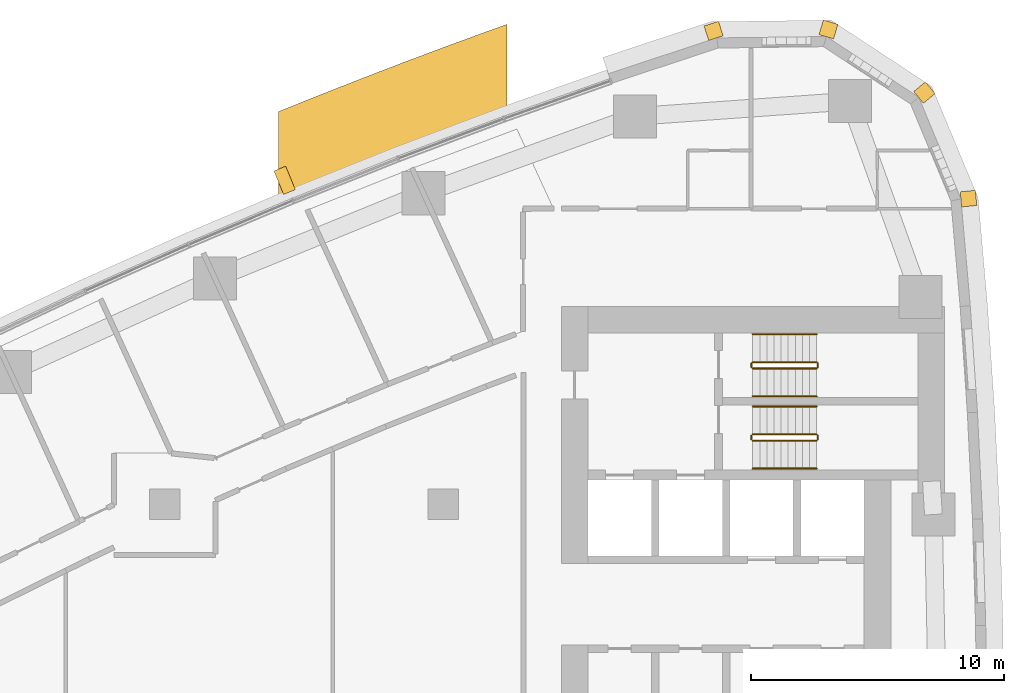
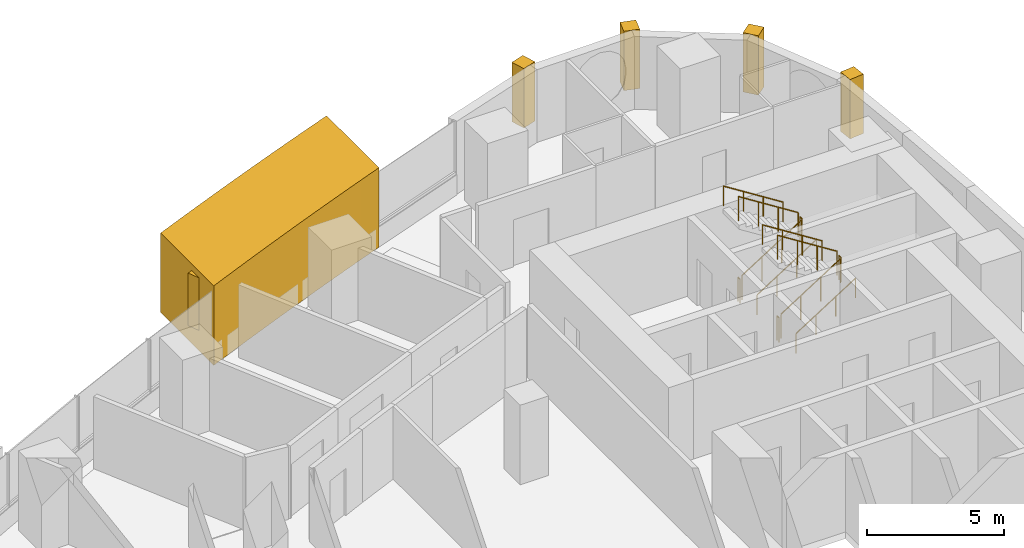
# One storey, part 17 of 17: 12 railings, 6 coverings.
"""IFC4 building model written with IfcOpenShell, lengths in metres."""

from ifc_helpers import new_model, si_unit, direction, frame, frame_2d, origin, origin_2d, place, context, subcontext, project, spatial, polyline, rectangle, circle, outline, extrude, material, layer, layer_set, type_object, element, save


model = new_model("IFC4")

# Units and contexts
model_context = context("Model", 3, precision=1e-05, world=origin(), true_north=direction((0.0, 1.0)))
body_context = subcontext(model_context, "Body", "Model", "MODEL_VIEW")
ifc_project = project(units=[si_unit("LENGTHUNIT", "METRE"), si_unit("AREAUNIT", "SQUARE_METRE"), si_unit("VOLUMEUNIT", "CUBIC_METRE"), si_unit("PLANEANGLEUNIT", "RADIAN"), si_unit("MASSUNIT", "GRAM", prefix="KILO")], contexts=[model_context])

# Site, building, storey
site_placement = place(None, origin())
site = spatial("IfcSite", under=ifc_project, at=site_placement, CompositionType="ELEMENT")
building_placement = place(site_placement, origin())
building = spatial("IfcBuilding", under=site, at=building_placement, Name="Ostrand Prow Hotel Tower", CompositionType="ELEMENT")
storey_placement = place(building_placement, frame((0.0, 0.0, 88.449951171875)))
storey = spatial("IfcBuildingStorey", under=building, at=storey_placement, Name="L20", CompositionType="ELEMENT", Elevation=88.449951171875)

# Coverings
ifc_material_1 = material(Name="Limestone cladding", Category="masonry")
ifc_layer_1 = layer(ifc_material_1, 5.0)
ifc_layer_set_1 = layer_set([ifc_layer_1], Name="Limestone cladding")
covering_type_1 = type_object("IfcCoveringType", Name="Portal jamb pilaster limestone", PredefinedType="CLADDING", material=ifc_layer_set_1)
covering_1_placement = place(storey_placement, origin())
element("IfcCovering", 1, at=covering_1_placement, inside=storey, type_object=covering_type_1, Name="Portal jamb NB L20", PredefinedType="CLADDING", context=body_context, shape_type="SweptSolid", body=[
    extrude(outline(polyline([(38.5, 20.59423828125), (39.5, 21.006103515625), (40.5, 21.412353515625), (41.5, 21.812744140625), (42.5, 22.207763671875), (43.5, 22.59716796875), (44.5, 22.98095703125), (45.5, 23.359130859375), (46.5, 23.732177734375), (47.5, 24.099609375), (47.5, 27.927490234375), (46.5, 27.566650390625), (45.5, 27.200439453125), (44.5, 26.8291015625), (43.5, 26.4521484375), (42.5, 26.06982421875), (41.5, 25.68212890625), (40.5, 25.2890625), (39.5, 24.890380859375), (38.5, 24.486083984375), (38.5, 20.59423828125)])), origin(), (0.0, 0.0, 1.0), 3.550048828125),
])
ifc_material_2 = material(Name="Limestone cladding", Category="masonry")
ifc_layer_2 = layer(ifc_material_2, 0.5)
ifc_layer_set_2 = layer_set([ifc_layer_2], Name="Limestone cladding")
covering_type_2 = type_object("IfcCoveringType", Name="Precast stone fin 500x900", PredefinedType="CLADDING", material=ifc_layer_set_2)
covering_2_placement = place(storey_placement, frame((38.9248046875, 21.310791015625, 0.900146484375), z_axis=(0.0, 0.0, 1.0), x_axis=(-0.380172536546, 0.924915586665, 0.0)))
element("IfcCovering", 2, at=covering_2_placement, inside=storey, type_object=covering_type_2, Name="Stone fin N 4", PredefinedType="CLADDING", context=body_context, shape_type="SweptSolid", body=[
    extrude(rectangle(XDim=1.0, YDim=0.5, at=frame_2d((0.5, 0.0))), origin(), (0.0, 0.0, 1.0), 2.349853515625),
])
ifc_material_3 = material(Name="Limestone cladding", Category="masonry")
ifc_layer_3 = layer(ifc_material_3, 0.60009765625)
ifc_layer_set_3 = layer_set([ifc_layer_3], Name="Limestone cladding")
covering_type_3 = type_object("IfcCoveringType", Name="Precast stone prow rib 600x600", PredefinedType="CLADDING", material=ifc_layer_set_3)
for number, where, z_axis, x_axis, name in (
    (3, (65.41650390625, 21.02099609375, 0.60009765625), (0.0, 0.0, 1.0), (0.99529571972, 0.096883591531, 0.0), "Stone corner rib 15a"),
    (4, (63.74365234375, 25.043212890625, 0.60009765625), (0.0, 0.0, 1.0), (0.770318500913, 0.637659319034, 0.0), "Stone corner rib 16a"),
):
    element("IfcCovering", number, at=place(storey_placement, frame(where, z_axis=z_axis, x_axis=x_axis)), inside=storey, type_object=covering_type_3, Name=name, PredefinedType="CLADDING", context=body_context, shape_type="SweptSolid", body=[
        extrude(rectangle(XDim=0.599853515625, YDim=0.60009765625, at=frame_2d((0.2998046875, 0.0))), origin(), (0.0, 0.0, 1.0), 2.64990234375),
    ])
covering_3_placement = place(storey_placement, frame((60.104736328125, 27.437744140625, 0.60009765625), z_axis=(0.0, 0.0, 1.0), x_axis=(0.280734221166, 0.959785547436, 0.0)))
element("IfcCovering", 5, at=covering_3_placement, inside=storey, type_object=covering_type_3, Name="Stone corner rib 17a", PredefinedType="CLADDING", context=body_context, shape_type="SweptSolid", body=[
    extrude(rectangle(XDim=0.60009765625, YDim=0.60009765625, at=frame_2d((0.300048828125, 0.0))), origin(), (0.0, 0.0, 1.0), 2.64990234375),
])
covering_4_placement = place(storey_placement, frame((55.7490234375, 27.3828125, 0.60009765625), z_axis=(0.0, 0.0, 1.0), x_axis=(-0.305218682065, 0.952282288042, 0.0)))
element("IfcCovering", 6, at=covering_4_placement, inside=storey, type_object=covering_type_3, Name="Stone corner rib 17b", PredefinedType="CLADDING", context=body_context, shape_type="SweptSolid", body=[
    extrude(rectangle(XDim=0.599853515625, YDim=0.60009765625, at=frame_2d((0.2998046875, 0.0))), origin(), (0.0, 0.0, 1.0), 2.64990234375),
])

# Railings
ifc_material_4 = material(Name="Painted steel", Category="steel")
railing_type_1 = type_object("IfcRailingType", Name="Stair guard 1100", PredefinedType="GUARDRAIL", material=ifc_material_4)
railing_1_placement = place(storey_placement, frame((57.199951171875, 11.5, 0.177490234375)))
element("IfcRailing", 7, at=railing_1_placement, inside=storey, type_object=railing_type_1, Name="L20 ST1C stair guard 1", PredefinedType="GUARDRAIL", context=body_context, shape_type="SweptSolid", body=[
    extrude(circle(Radius=0.02392578125, at=origin_2d()), frame((0.0, 0.0, 1.076171875), z_axis=(0.84456994832, 0.0, 0.535445237532), x_axis=(0.0, 1.0, 0.0)), (0.0, 0.0, 1.0), 2.98388671875),
    extrude(circle(Radius=0.02099609375, at=origin_2d()), origin(), (0.0, 0.0, 1.0), 1.052001953125),
    extrude(circle(Radius=0.02099609375, at=origin_2d()), frame((0.840087890625, 0.0, 0.532470703125)), (0.0, 0.0, 1.0), 1.052001953125),
    extrude(circle(Radius=0.02099609375, at=origin_2d()), frame((1.679931640625, 0.0, 1.065185546875)), (0.0, 0.0, 1.0), 1.052001953125),
    extrude(circle(Radius=0.02099609375, at=origin_2d()), frame((2.52001953125, 0.0, 1.59765625)), (0.0, 0.0, 1.0), 1.052001953125),
])
railing_2_placement = place(storey_placement, frame((59.77001953125, 11.550048828125, 1.775146484375)))
element("IfcRailing", 8, at=railing_2_placement, inside=storey, type_object=railing_type_1, Name="L20 ST1C stair guard 2", PredefinedType="GUARDRAIL", context=body_context, shape_type="SweptSolid", body=[
    extrude(circle(Radius=0.02392578125, at=origin_2d()), frame((0.0, 0.0, 1.076171875), z_axis=(0.0, 1.0, 0.0), x_axis=(-1.0, 0.0, 0.0)), (0.0, 0.0, 1.0), 0.14990234375),
    extrude(circle(Radius=0.02099609375, at=origin_2d()), origin(), (0.0, 0.0, 1.0), 1.052001953125),
    extrude(circle(Radius=0.02099609375, at=origin_2d()), frame((0.0, 0.14990234375, 0.0)), (0.0, 0.0, 1.0), 1.052001953125),
])
railing_3_placement = place(storey_placement, frame((59.719970703125, 11.75, 1.95263671875)))
element("IfcRailing", 9, at=railing_3_placement, inside=storey, type_object=railing_type_1, Name="L20 ST1C stair guard 3", PredefinedType="GUARDRAIL", context=body_context, shape_type="SweptSolid", body=[
    extrude(circle(Radius=0.02392578125, at=origin_2d()), frame((0.0, 0.0, 1.076171875), z_axis=(-0.84460694969, 0.0, 0.535386869969), x_axis=(0.0, -1.0, 0.0)), (0.0, 0.0, 1.0), 2.983642578125),
    extrude(circle(Radius=0.02099609375, at=origin_2d()), origin(), (0.0, 0.0, 1.0), 1.052001953125),
    extrude(circle(Radius=0.02099609375, at=origin_2d()), frame((-0.840087890625, 0.0, 0.532470703125)), (0.0, 0.0, 1.0), 1.052001953125),
    extrude(circle(Radius=0.02099609375, at=origin_2d()), frame((-1.679931640625, 0.0, 1.06494140625)), (0.0, 0.0, 1.0), 1.052001953125),
    extrude(circle(Radius=0.02099609375, at=origin_2d()), frame((-2.52001953125, 0.0, 1.597412109375)), (0.0, 0.0, 1.0), 1.052001953125),
])
railing_4_placement = place(storey_placement, frame((57.14990234375, 11.550048828125, 0.0)))
element("IfcRailing", 10, at=railing_4_placement, inside=storey, type_object=railing_type_1, Name="L20 ST1C stair guard 4", PredefinedType="GUARDRAIL", context=body_context, shape_type="SweptSolid", body=[
    extrude(circle(Radius=0.02392578125, at=origin_2d()), frame((0.0, 0.0, 1.076171875), z_axis=(0.0, 1.0, 0.0), x_axis=(-1.0, 0.0, 0.0)), (0.0, 0.0, 1.0), 0.14990234375),
    extrude(circle(Radius=0.02099609375, at=origin_2d()), origin(), (0.0, 0.0, 1.0), 1.052001953125),
    extrude(circle(Radius=0.02099609375, at=origin_2d()), frame((0.0, 0.14990234375, 0.0)), (0.0, 0.0, 1.0), 1.052001953125),
])
railing_5_placement = place(storey_placement, frame((57.199951171875, 14.35009765625, 0.177490234375)))
element("IfcRailing", 11, at=railing_5_placement, inside=storey, type_object=railing_type_1, Name="L20 ST3C stair guard 1", PredefinedType="GUARDRAIL", context=body_context, shape_type="SweptSolid", body=[
    extrude(circle(Radius=0.02392578125, at=origin_2d()), frame((0.0, 0.0, 1.076171875), z_axis=(0.84456994832, 0.0, 0.535445237532), x_axis=(0.0, 1.0, 0.0)), (0.0, 0.0, 1.0), 2.98388671875),
    extrude(circle(Radius=0.02099609375, at=origin_2d()), origin(), (0.0, 0.0, 1.0), 1.052001953125),
    extrude(circle(Radius=0.02099609375, at=origin_2d()), frame((0.840087890625, 0.0, 0.532470703125)), (0.0, 0.0, 1.0), 1.052001953125),
    extrude(circle(Radius=0.02099609375, at=origin_2d()), frame((1.679931640625, 0.0, 1.065185546875)), (0.0, 0.0, 1.0), 1.052001953125),
    extrude(circle(Radius=0.02099609375, at=origin_2d()), frame((2.52001953125, 0.0, 1.59765625)), (0.0, 0.0, 1.0), 1.052001953125),
])
railing_6_placement = place(storey_placement, frame((59.77001953125, 14.39990234375, 1.775146484375)))
element("IfcRailing", 12, at=railing_6_placement, inside=storey, type_object=railing_type_1, Name="L20 ST3C stair guard 2", PredefinedType="GUARDRAIL", context=body_context, shape_type="SweptSolid", body=[
    extrude(circle(Radius=0.02392578125, at=origin_2d()), frame((0.0, 0.0, 1.076171875), z_axis=(0.0, 1.0, 0.0), x_axis=(-1.0, 0.0, 0.0)), (0.0, 0.0, 1.0), 0.150146484375),
    extrude(circle(Radius=0.02099609375, at=origin_2d()), origin(), (0.0, 0.0, 1.0), 1.052001953125),
    extrude(circle(Radius=0.02099609375, at=origin_2d()), frame((0.0, 0.150146484375, 0.0)), (0.0, 0.0, 1.0), 1.052001953125),
])
railing_7_placement = place(storey_placement, frame((59.719970703125, 14.60009765625, 1.95263671875)))
element("IfcRailing", 13, at=railing_7_placement, inside=storey, type_object=railing_type_1, Name="L20 ST3C stair guard 3", PredefinedType="GUARDRAIL", context=body_context, shape_type="SweptSolid", body=[
    extrude(circle(Radius=0.02392578125, at=origin_2d()), frame((0.0, 0.0, 1.076171875), z_axis=(-0.84460694969, 0.0, 0.535386869969), x_axis=(0.0, -1.0, 0.0)), (0.0, 0.0, 1.0), 2.983642578125),
    extrude(circle(Radius=0.02099609375, at=origin_2d()), origin(), (0.0, 0.0, 1.0), 1.052001953125),
    extrude(circle(Radius=0.02099609375, at=origin_2d()), frame((-0.840087890625, 0.0, 0.532470703125)), (0.0, 0.0, 1.0), 1.052001953125),
    extrude(circle(Radius=0.02099609375, at=origin_2d()), frame((-1.679931640625, 0.0, 1.06494140625)), (0.0, 0.0, 1.0), 1.052001953125),
    extrude(circle(Radius=0.02099609375, at=origin_2d()), frame((-2.52001953125, 0.0, 1.597412109375)), (0.0, 0.0, 1.0), 1.052001953125),
])
railing_8_placement = place(storey_placement, frame((57.14990234375, 14.39990234375, 0.0)))
element("IfcRailing", 14, at=railing_8_placement, inside=storey, type_object=railing_type_1, Name="L20 ST3C stair guard 4", PredefinedType="GUARDRAIL", context=body_context, shape_type="SweptSolid", body=[
    extrude(circle(Radius=0.02392578125, at=origin_2d()), frame((0.0, 0.0, 1.076171875), z_axis=(0.0, 1.0, 0.0), x_axis=(-1.0, 0.0, 0.0)), (0.0, 0.0, 1.0), 0.150146484375),
    extrude(circle(Radius=0.02099609375, at=origin_2d()), origin(), (0.0, 0.0, 1.0), 1.052001953125),
    extrude(circle(Radius=0.02099609375, at=origin_2d()), frame((0.0, 0.150146484375, 0.0)), (0.0, 0.0, 1.0), 1.052001953125),
])
ifc_material_5 = material(Name="Stainless steel", Category="steel")
railing_type_2 = type_object("IfcRailingType", Name="Stair handrail 900", PredefinedType="HANDRAIL", material=ifc_material_5)
railing_9_placement = place(storey_placement, frame((57.199951171875, 10.39990234375, 0.177490234375)))
element("IfcRailing", 15, at=railing_9_placement, inside=storey, type_object=railing_type_2, Name="L20 ST1C stair handrail 1", PredefinedType="HANDRAIL", context=body_context, shape_type="SweptSolid", body=[
    extrude(circle(Radius=0.02392578125, at=origin_2d()), frame((0.0, 0.0, 0.8759765625), z_axis=(0.84456994832, 0.0, 0.535445237532), x_axis=(0.0, 1.0, 0.0)), (0.0, 0.0, 1.0), 2.98388671875),
    extrude(circle(Radius=0.02099609375, at=origin_2d()), origin(), (0.0, 0.0, 1.0), 0.851806640625),
    extrude(circle(Radius=0.02099609375, at=origin_2d()), frame((0.840087890625, 0.0, 0.532470703125)), (0.0, 0.0, 1.0), 0.851806640625),
    extrude(circle(Radius=0.02099609375, at=origin_2d()), frame((1.679931640625, 0.0, 1.065185546875)), (0.0, 0.0, 1.0), 0.851806640625),
    extrude(circle(Radius=0.02099609375, at=origin_2d()), frame((2.52001953125, 0.0, 1.59765625)), (0.0, 0.0, 1.0), 0.851806640625),
])
railing_10_placement = place(storey_placement, frame((59.719970703125, 12.85009765625, 1.95263671875)))
element("IfcRailing", 16, at=railing_10_placement, inside=storey, type_object=railing_type_2, Name="L20 ST1C stair handrail 2", PredefinedType="HANDRAIL", context=body_context, shape_type="SweptSolid", body=[
    extrude(circle(Radius=0.02392578125, at=origin_2d()), frame((0.0, 0.0, 0.8759765625), z_axis=(-0.84460694969, 0.0, 0.535386869969), x_axis=(0.0, -1.0, 0.0)), (0.0, 0.0, 1.0), 2.983642578125),
    extrude(circle(Radius=0.02099609375, at=origin_2d()), origin(), (0.0, 0.0, 1.0), 0.851806640625),
    extrude(circle(Radius=0.02099609375, at=origin_2d()), frame((-0.840087890625, 0.0, 0.532470703125)), (0.0, 0.0, 1.0), 0.851806640625),
    extrude(circle(Radius=0.02099609375, at=origin_2d()), frame((-1.679931640625, 0.0, 1.06494140625)), (0.0, 0.0, 1.0), 0.851806640625),
    extrude(circle(Radius=0.02099609375, at=origin_2d()), frame((-2.52001953125, 0.0, 1.597412109375)), (0.0, 0.0, 1.0), 0.851806640625),
])
railing_11_placement = place(storey_placement, frame((57.199951171875, 13.25, 0.177490234375)))
element("IfcRailing", 17, at=railing_11_placement, inside=storey, type_object=railing_type_2, Name="L20 ST3C stair handrail 1", PredefinedType="HANDRAIL", context=body_context, shape_type="SweptSolid", body=[
    extrude(circle(Radius=0.02392578125, at=origin_2d()), frame((0.0, 0.0, 0.8759765625), z_axis=(0.84456994832, 0.0, 0.535445237532), x_axis=(0.0, 1.0, 0.0)), (0.0, 0.0, 1.0), 2.98388671875),
    extrude(circle(Radius=0.02099609375, at=origin_2d()), origin(), (0.0, 0.0, 1.0), 0.851806640625),
    extrude(circle(Radius=0.02099609375, at=origin_2d()), frame((0.840087890625, 0.0, 0.532470703125)), (0.0, 0.0, 1.0), 0.851806640625),
    extrude(circle(Radius=0.02099609375, at=origin_2d()), frame((1.679931640625, 0.0, 1.065185546875)), (0.0, 0.0, 1.0), 0.851806640625),
    extrude(circle(Radius=0.02099609375, at=origin_2d()), frame((2.52001953125, 0.0, 1.59765625)), (0.0, 0.0, 1.0), 0.851806640625),
])
railing_12_placement = place(storey_placement, frame((59.719970703125, 15.699951171875, 1.95263671875)))
element("IfcRailing", 18, at=railing_12_placement, inside=storey, type_object=railing_type_2, Name="L20 ST3C stair handrail 2", PredefinedType="HANDRAIL", context=body_context, shape_type="SweptSolid", body=[
    extrude(circle(Radius=0.02392578125, at=origin_2d()), frame((0.0, 0.0, 0.8759765625), z_axis=(-0.84460694969, 0.0, 0.535386869969), x_axis=(0.0, -1.0, 0.0)), (0.0, 0.0, 1.0), 2.983642578125),
    extrude(circle(Radius=0.02099609375, at=origin_2d()), origin(), (0.0, 0.0, 1.0), 0.851806640625),
    extrude(circle(Radius=0.02099609375, at=origin_2d()), frame((-0.840087890625, 0.0, 0.532470703125)), (0.0, 0.0, 1.0), 0.851806640625),
    extrude(circle(Radius=0.02099609375, at=origin_2d()), frame((-1.679931640625, 0.0, 1.06494140625)), (0.0, 0.0, 1.0), 0.851806640625),
    extrude(circle(Radius=0.02099609375, at=origin_2d()), frame((-2.52001953125, 0.0, 1.597412109375)), (0.0, 0.0, 1.0), 0.851806640625),
])

save(model, "model.ifc")
